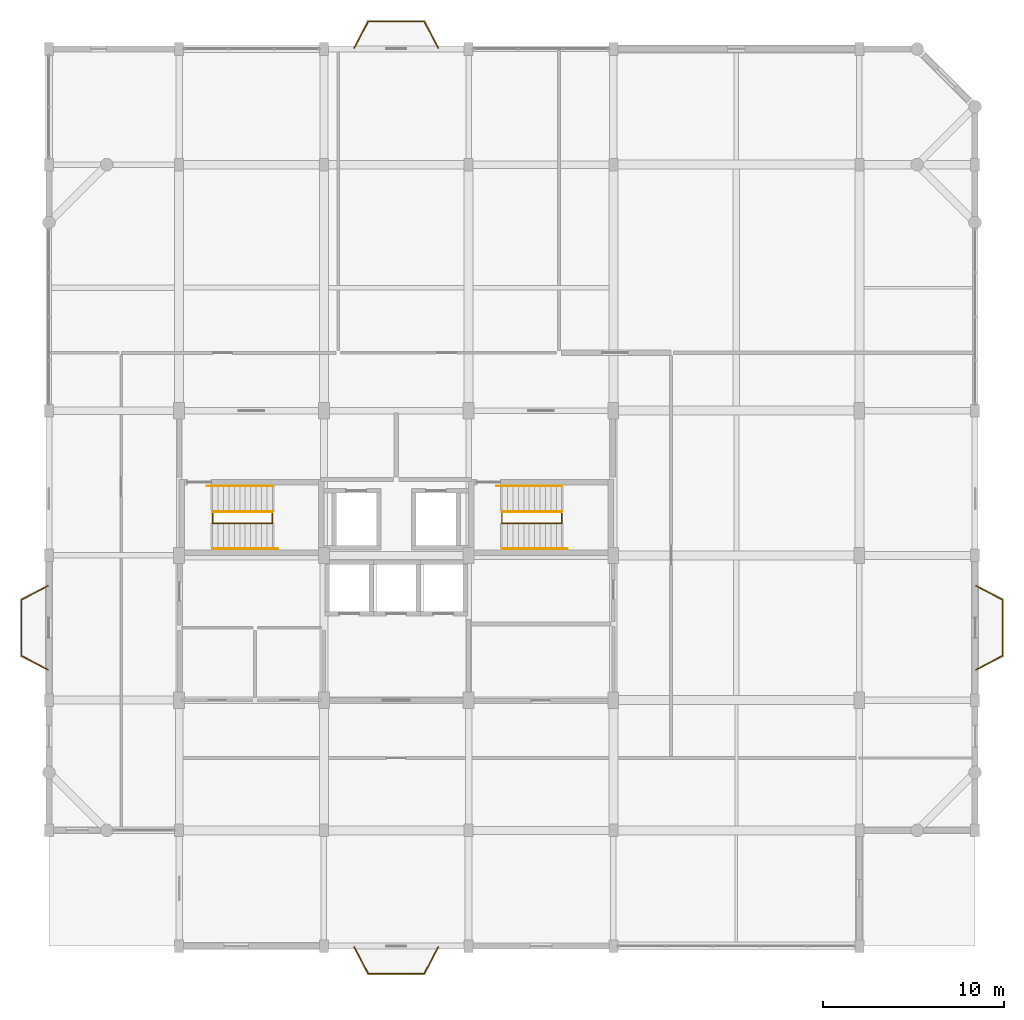
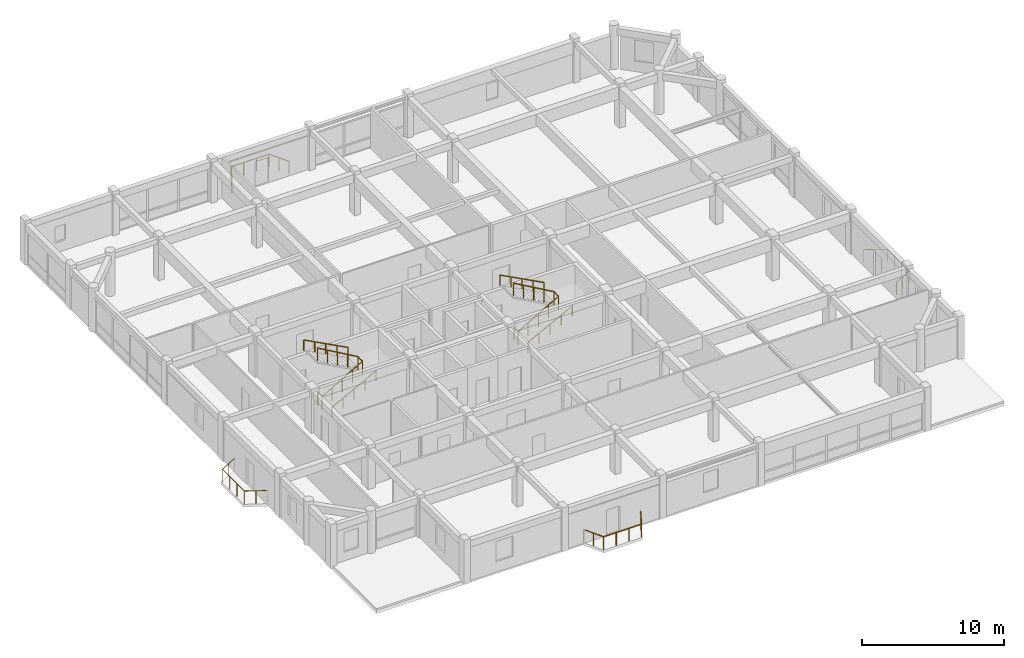
# One storey, part 14 of 14: 12 railings.
"""IFC4 building model written with IfcOpenShell, lengths in metres."""

from ifc_helpers import new_model, si_unit, direction, frame, origin, origin_2d, place, context, subcontext, project, spatial, circle, extrude, material, type_object, element, save


model = new_model("IFC4")

# Units and contexts
model_context = context("Model", 3, precision=1e-05, world=origin(), true_north=direction((0.0, 1.0)))
body_context = subcontext(model_context, "Body", "Model", "MODEL_VIEW")
ifc_project = project(units=[si_unit("LENGTHUNIT", "METRE"), si_unit("AREAUNIT", "SQUARE_METRE"), si_unit("VOLUMEUNIT", "CUBIC_METRE"), si_unit("PLANEANGLEUNIT", "RADIAN"), si_unit("MASSUNIT", "GRAM", prefix="KILO")], contexts=[model_context])

# Site, building, storey
site_placement = place(None, origin())
site = spatial("IfcSite", under=ifc_project, at=site_placement, CompositionType="ELEMENT")
building_placement = place(site_placement, origin())
building = spatial("IfcBuilding", under=site, at=building_placement, Name="Vellmiral Cinema and Media Centre", CompositionType="ELEMENT")
storey_placement = place(building_placement, frame((0.0, 0.0, 47.10009765625)))
storey = spatial("IfcBuildingStorey", under=building, at=storey_placement, Name="L11", CompositionType="ELEMENT", Elevation=47.10009765625)

# Railings
ifc_material_1 = material(Name="Forged Wrought-Iron Mirador Guardrail", Category="steel")
railing_type_1 = type_object("IfcRailingType", Name="RL-BAL-MIRA-1120", PredefinedType="BALUSTRADE", material=ifc_material_1)
railing_1_placement = place(storey_placement, frame((168.050048828125, 80.8798828125, 0.0)))
element("IfcRailing", 1, at=railing_1_placement, inside=storey, type_object=railing_type_1, Name="Mirador Balcony Guardrail L11-E", PredefinedType="BALUSTRADE", context=body_context, shape_type="SweptSolid", body=[
    extrude(circle(Radius=0.02392578125, at=origin_2d()), frame((0.0, 0.0, 1.09619140625), z_axis=(0.885822896277, 0.464023486939, 0.0), x_axis=(-0.464023486939, 0.885822896277, 0.0)), (0.0, 0.0, 1.0), 1.659423828125),
    extrude(circle(Radius=0.02392578125, at=origin_2d()), frame((1.469970703125, 0.77001953125, 1.09619140625), z_axis=(0.0, 1.0, 0.0), x_axis=(-1.0, 0.0, 0.0)), (0.0, 0.0, 1.0), 3.10009765625),
    extrude(circle(Radius=0.02392578125, at=origin_2d()), frame((1.469970703125, 3.8701171875, 1.09619140625), z_axis=(-0.885822896277, 0.464023486939, 0.0), x_axis=(-0.464023486939, -0.885822896277, 0.0)), (0.0, 0.0, 1.0), 1.659423828125),
    extrude(circle(Radius=0.02099609375, at=origin_2d()), origin(), (0.0, 0.0, 1.0), 1.072021484375),
    extrude(circle(Radius=0.02099609375, at=origin_2d()), frame((0.73486328125, 0.385009765625, 0.0)), (0.0, 0.0, 1.0), 1.072021484375),
    extrude(circle(Radius=0.02099609375, at=origin_2d()), frame((1.469970703125, 0.77001953125, 0.0)), (0.0, 0.0, 1.0), 1.072021484375),
    extrude(circle(Radius=0.02099609375, at=origin_2d()), frame((1.469970703125, 1.803466796875, 0.0)), (0.0, 0.0, 1.0), 1.072021484375),
    extrude(circle(Radius=0.02099609375, at=origin_2d()), frame((1.469970703125, 2.836669921875, 0.0)), (0.0, 0.0, 1.0), 1.072021484375),
    extrude(circle(Radius=0.02099609375, at=origin_2d()), frame((1.469970703125, 3.8701171875, 0.0)), (0.0, 0.0, 1.0), 1.072021484375),
    extrude(circle(Radius=0.02099609375, at=origin_2d()), frame((0.73486328125, 4.255126953125, 0.0)), (0.0, 0.0, 1.0), 1.072021484375),
    extrude(circle(Radius=0.02099609375, at=origin_2d()), frame((0.0, 4.64013671875, 0.0)), (0.0, 0.0, 1.0), 1.072021484375),
])
railing_2_placement = place(storey_placement, frame((138.320068359375, 115.25, 0.0)))
element("IfcRailing", 2, at=railing_2_placement, inside=storey, type_object=railing_type_1, Name="Mirador Balcony Guardrail L11-N", PredefinedType="BALUSTRADE", context=body_context, shape_type="SweptSolid", body=[
    extrude(circle(Radius=0.02392578125, at=origin_2d()), frame((0.0, 0.0, 1.09619140625), z_axis=(-0.464023486939, 0.885822896277, 0.0), x_axis=(-0.885822896277, -0.464023486939, 0.0)), (0.0, 0.0, 1.0), 1.659423828125),
    extrude(circle(Radius=0.02392578125, at=origin_2d()), frame((-0.77001953125, 1.469970703125, 1.09619140625), z_axis=(-1.0, 0.0, 0.0), x_axis=(0.0, -1.0, 0.0)), (0.0, 0.0, 1.0), 3.10009765625),
    extrude(circle(Radius=0.02392578125, at=origin_2d()), frame((-3.8701171875, 1.469970703125, 1.09619140625), z_axis=(-0.464023486939, -0.885822896277, 0.0), x_axis=(0.885822896277, -0.464023486939, 0.0)), (0.0, 0.0, 1.0), 1.659423828125),
    extrude(circle(Radius=0.02099609375, at=origin_2d()), origin(), (0.0, 0.0, 1.0), 1.072021484375),
    extrude(circle(Radius=0.02099609375, at=origin_2d()), frame((-0.385009765625, 0.73486328125, 0.0)), (0.0, 0.0, 1.0), 1.072021484375),
    extrude(circle(Radius=0.02099609375, at=origin_2d()), frame((-0.77001953125, 1.469970703125, 0.0)), (0.0, 0.0, 1.0), 1.072021484375),
    extrude(circle(Radius=0.02099609375, at=origin_2d()), frame((-1.803466796875, 1.469970703125, 0.0)), (0.0, 0.0, 1.0), 1.072021484375),
    extrude(circle(Radius=0.02099609375, at=origin_2d()), frame((-2.836669921875, 1.469970703125, 0.0)), (0.0, 0.0, 1.0), 1.072021484375),
    extrude(circle(Radius=0.02099609375, at=origin_2d()), frame((-3.8701171875, 1.469970703125, 0.0)), (0.0, 0.0, 1.0), 1.072021484375),
    extrude(circle(Radius=0.02099609375, at=origin_2d()), frame((-4.255126953125, 0.73486328125, 0.0)), (0.0, 0.0, 1.0), 1.072021484375),
    extrude(circle(Radius=0.02099609375, at=origin_2d()), frame((-4.64013671875, 0.0, 0.0)), (0.0, 0.0, 1.0), 1.072021484375),
])
railing_3_placement = place(storey_placement, frame((116.75, 85.52001953125, 0.0)))
element("IfcRailing", 3, at=railing_3_placement, inside=storey, type_object=railing_type_1, Name="Mirador Balcony Guardrail L11-W", PredefinedType="BALUSTRADE", context=body_context, shape_type="SweptSolid", body=[
    extrude(circle(Radius=0.02392578125, at=origin_2d()), frame((0.0, 0.0, 1.09619140625), z_axis=(-0.885822896277, -0.464023486939, 0.0), x_axis=(0.464023486939, -0.885822896277, 0.0)), (0.0, 0.0, 1.0), 1.659423828125),
    extrude(circle(Radius=0.02392578125, at=origin_2d()), frame((-1.469970703125, -0.77001953125, 1.09619140625), z_axis=(0.0, -1.0, 0.0), x_axis=(1.0, 0.0, 0.0)), (0.0, 0.0, 1.0), 3.10009765625),
    extrude(circle(Radius=0.02392578125, at=origin_2d()), frame((-1.469970703125, -3.8701171875, 1.09619140625), z_axis=(0.885822896277, -0.464023486939, 0.0), x_axis=(0.464023486939, 0.885822896277, 0.0)), (0.0, 0.0, 1.0), 1.659423828125),
    extrude(circle(Radius=0.02099609375, at=origin_2d()), origin(), (0.0, 0.0, 1.0), 1.072021484375),
    extrude(circle(Radius=0.02099609375, at=origin_2d()), frame((-0.73486328125, -0.385009765625, 0.0)), (0.0, 0.0, 1.0), 1.072021484375),
    extrude(circle(Radius=0.02099609375, at=origin_2d()), frame((-1.469970703125, -0.77001953125, 0.0)), (0.0, 0.0, 1.0), 1.072021484375),
    extrude(circle(Radius=0.02099609375, at=origin_2d()), frame((-1.469970703125, -1.803466796875, 0.0)), (0.0, 0.0, 1.0), 1.072021484375),
    extrude(circle(Radius=0.02099609375, at=origin_2d()), frame((-1.469970703125, -2.836669921875, 0.0)), (0.0, 0.0, 1.0), 1.072021484375),
    extrude(circle(Radius=0.02099609375, at=origin_2d()), frame((-1.469970703125, -3.8701171875, 0.0)), (0.0, 0.0, 1.0), 1.072021484375),
    extrude(circle(Radius=0.02099609375, at=origin_2d()), frame((-0.73486328125, -4.255126953125, 0.0)), (0.0, 0.0, 1.0), 1.072021484375),
    extrude(circle(Radius=0.02099609375, at=origin_2d()), frame((0.0, -4.64013671875, 0.0)), (0.0, 0.0, 1.0), 1.072021484375),
])
railing_4_placement = place(storey_placement, frame((133.679931640625, 65.550048828125, 0.0)))
element("IfcRailing", 4, at=railing_4_placement, inside=storey, type_object=railing_type_1, Name="Mirador Balcony Guardrail L11-S", PredefinedType="BALUSTRADE", context=body_context, shape_type="SweptSolid", body=[
    extrude(circle(Radius=0.02392578125, at=origin_2d()), frame((0.0, 0.0, 1.09619140625), z_axis=(0.464023486939, -0.885822896277, 0.0), x_axis=(0.885822896277, 0.464023486939, 0.0)), (0.0, 0.0, 1.0), 1.659423828125),
    extrude(circle(Radius=0.02392578125, at=origin_2d()), frame((0.77001953125, -1.469970703125, 1.09619140625), z_axis=(1.0, 0.0, 0.0), x_axis=(0.0, 1.0, 0.0)), (0.0, 0.0, 1.0), 3.10009765625),
    extrude(circle(Radius=0.02392578125, at=origin_2d()), frame((3.8701171875, -1.469970703125, 1.09619140625), z_axis=(0.464023486939, 0.885822896277, 0.0), x_axis=(-0.885822896277, 0.464023486939, 0.0)), (0.0, 0.0, 1.0), 1.659423828125),
    extrude(circle(Radius=0.02099609375, at=origin_2d()), origin(), (0.0, 0.0, 1.0), 1.072021484375),
    extrude(circle(Radius=0.02099609375, at=origin_2d()), frame((0.385009765625, -0.73486328125, 0.0)), (0.0, 0.0, 1.0), 1.072021484375),
    extrude(circle(Radius=0.02099609375, at=origin_2d()), frame((0.77001953125, -1.469970703125, 0.0)), (0.0, 0.0, 1.0), 1.072021484375),
    extrude(circle(Radius=0.02099609375, at=origin_2d()), frame((1.803466796875, -1.469970703125, 0.0)), (0.0, 0.0, 1.0), 1.072021484375),
    extrude(circle(Radius=0.02099609375, at=origin_2d()), frame((2.836669921875, -1.469970703125, 0.0)), (0.0, 0.0, 1.0), 1.072021484375),
    extrude(circle(Radius=0.02099609375, at=origin_2d()), frame((3.8701171875, -1.469970703125, 0.0)), (0.0, 0.0, 1.0), 1.072021484375),
    extrude(circle(Radius=0.02099609375, at=origin_2d()), frame((4.255126953125, -0.73486328125, 0.0)), (0.0, 0.0, 1.0), 1.072021484375),
    extrude(circle(Radius=0.02099609375, at=origin_2d()), frame((4.64013671875, 0.0, 0.0)), (0.0, 0.0, 1.0), 1.072021484375),
])
ifc_material_2 = material(Name="Brushed Stainless Steel Handrail", Category="steel")
railing_type_2 = type_object("IfcRailingType", Name="RL-HANDRAIL-900", PredefinedType="HANDRAIL", material=ifc_material_2)
railing_5_placement = place(storey_placement, frame((125.85009765625, 87.56005859375, 0.158203125)))
element("IfcRailing", 5, at=railing_5_placement, inside=storey, type_object=railing_type_2, Name="Stair Wall Handrail ST-T1 L11-1", PredefinedType="HANDRAIL", context=body_context, shape_type="SweptSolid", body=[
    extrude(circle(Radius=0.02392578125, at=origin_2d()), frame((0.0, 0.0, 0.8759765625), z_axis=(0.884362056793, 0.0, 0.466801620076), x_axis=(0.0, 1.0, 0.0)), (0.0, 0.0, 1.0), 4.070556640625),
    extrude(circle(Radius=0.02099609375, at=origin_2d()), origin(), (0.0, 0.0, 1.0), 0.851806640625),
    extrude(circle(Radius=0.02099609375, at=origin_2d()), frame((0.89990234375, 0.0, 0.47509765625)), (0.0, 0.0, 1.0), 0.851806640625),
    extrude(circle(Radius=0.02099609375, at=origin_2d()), frame((1.7998046875, 0.0, 0.9501953125)), (0.0, 0.0, 1.0), 0.851806640625),
    extrude(circle(Radius=0.02099609375, at=origin_2d()), frame((2.699951171875, 0.0, 1.425048828125)), (0.0, 0.0, 1.0), 0.851806640625),
    extrude(circle(Radius=0.02099609375, at=origin_2d()), frame((3.599853515625, 0.0, 1.900146484375)), (0.0, 0.0, 1.0), 0.851806640625),
])
railing_6_placement = place(storey_placement, frame((129.14990234375, 91.0400390625, 2.058349609375)))
element("IfcRailing", 6, at=railing_6_placement, inside=storey, type_object=railing_type_2, Name="Stair Wall Handrail ST-T1 L11-2", PredefinedType="HANDRAIL", context=body_context, shape_type="SweptSolid", body=[
    extrude(circle(Radius=0.02392578125, at=origin_2d()), frame((0.0, 0.0, 0.8759765625), z_axis=(-0.884386816079, 0.0, 0.466754710256), x_axis=(0.0, -1.0, 0.0)), (0.0, 0.0, 1.0), 4.070556640625),
    extrude(circle(Radius=0.02099609375, at=origin_2d()), origin(), (0.0, 0.0, 1.0), 0.851806640625),
    extrude(circle(Radius=0.02099609375, at=origin_2d()), frame((-0.89990234375, 0.0, 0.47509765625)), (0.0, 0.0, 1.0), 0.851806640625),
    extrude(circle(Radius=0.02099609375, at=origin_2d()), frame((-1.7998046875, 0.0, 0.949951171875)), (0.0, 0.0, 1.0), 0.851806640625),
    extrude(circle(Radius=0.02099609375, at=origin_2d()), frame((-2.699951171875, 0.0, 1.4248046875)), (0.0, 0.0, 1.0), 0.851806640625),
    extrude(circle(Radius=0.02099609375, at=origin_2d()), frame((-3.599853515625, 0.0, 1.89990234375)), (0.0, 0.0, 1.0), 0.851806640625),
])
railing_7_placement = place(storey_placement, frame((141.85009765625, 87.56005859375, 0.158203125)))
element("IfcRailing", 7, at=railing_7_placement, inside=storey, type_object=railing_type_2, Name="Stair Wall Handrail ST-T2 L11-1", PredefinedType="HANDRAIL", context=body_context, shape_type="SweptSolid", body=[
    extrude(circle(Radius=0.02392578125, at=origin_2d()), frame((0.0, 0.0, 0.8759765625), z_axis=(0.884362056793, 0.0, 0.466801620076), x_axis=(0.0, 1.0, 0.0)), (0.0, 0.0, 1.0), 4.070556640625),
    extrude(circle(Radius=0.02099609375, at=origin_2d()), origin(), (0.0, 0.0, 1.0), 0.851806640625),
    extrude(circle(Radius=0.02099609375, at=origin_2d()), frame((0.89990234375, 0.0, 0.47509765625)), (0.0, 0.0, 1.0), 0.851806640625),
    extrude(circle(Radius=0.02099609375, at=origin_2d()), frame((1.7998046875, 0.0, 0.9501953125)), (0.0, 0.0, 1.0), 0.851806640625),
    extrude(circle(Radius=0.02099609375, at=origin_2d()), frame((2.699951171875, 0.0, 1.425048828125)), (0.0, 0.0, 1.0), 0.851806640625),
    extrude(circle(Radius=0.02099609375, at=origin_2d()), frame((3.599853515625, 0.0, 1.900146484375)), (0.0, 0.0, 1.0), 0.851806640625),
])
railing_8_placement = place(storey_placement, frame((145.14990234375, 91.0400390625, 2.058349609375)))
element("IfcRailing", 8, at=railing_8_placement, inside=storey, type_object=railing_type_2, Name="Stair Wall Handrail ST-T2 L11-2", PredefinedType="HANDRAIL", context=body_context, shape_type="SweptSolid", body=[
    extrude(circle(Radius=0.02392578125, at=origin_2d()), frame((0.0, 0.0, 0.8759765625), z_axis=(-0.884386816079, 0.0, 0.466754710256), x_axis=(0.0, -1.0, 0.0)), (0.0, 0.0, 1.0), 4.070556640625),
    extrude(circle(Radius=0.02099609375, at=origin_2d()), origin(), (0.0, 0.0, 1.0), 0.851806640625),
    extrude(circle(Radius=0.02099609375, at=origin_2d()), frame((-0.89990234375, 0.0, 0.47509765625)), (0.0, 0.0, 1.0), 0.851806640625),
    extrude(circle(Radius=0.02099609375, at=origin_2d()), frame((-1.7998046875, 0.0, 0.949951171875)), (0.0, 0.0, 1.0), 0.851806640625),
    extrude(circle(Radius=0.02099609375, at=origin_2d()), frame((-2.699951171875, 0.0, 1.4248046875)), (0.0, 0.0, 1.0), 0.851806640625),
    extrude(circle(Radius=0.02099609375, at=origin_2d()), frame((-3.599853515625, 0.0, 1.89990234375)), (0.0, 0.0, 1.0), 0.851806640625),
])
ifc_material_3 = material(Name="Painted Steel Stair Guardrail", Category="steel")
railing_type_3 = type_object("IfcRailingType", Name="RL-STAIR-GUARD-1120", PredefinedType="GUARDRAIL", material=ifc_material_3)
railing_9_placement = place(storey_placement, frame((125.85009765625, 89.580078125, 0.0)))
element("IfcRailing", 9, at=railing_9_placement, inside=storey, type_object=railing_type_3, Name="Stair Well Guard ST-T1 L11-A", PredefinedType="GUARDRAIL", context=body_context, shape_type="SweptSolid", body=[
    extrude(circle(Radius=0.02392578125, at=origin_2d()), frame((0.0, 0.0, 1.09619140625), z_axis=(0.0, -1.0, 0.0), x_axis=(1.0, 0.0, 0.0)), (0.0, 0.0, 1.0), 0.60009765625),
    extrude(circle(Radius=0.02392578125, at=origin_2d()), frame((0.0, -0.60009765625, 1.09619140625), z_axis=(0.866620776532, 0.0, 0.498967363345), x_axis=(0.0, 1.0, 0.0)), (0.0, 0.0, 1.0), 3.8076171875),
    extrude(circle(Radius=0.02392578125, at=origin_2d()), frame((3.2998046875, -0.60009765625, 2.99609375), z_axis=(0.0, 1.0, 0.0), x_axis=(-1.0, 0.0, 0.0)), (0.0, 0.0, 1.0), 0.64013671875),
    extrude(circle(Radius=0.02099609375, at=origin_2d()), origin(), (0.0, 0.0, 1.0), 1.072021484375),
    extrude(circle(Radius=0.02099609375, at=origin_2d()), frame((0.0, -0.60009765625, 0.0)), (0.0, 0.0, 1.0), 1.072021484375),
    extrude(circle(Radius=0.02099609375, at=origin_2d()), frame((0.824951171875, -0.60009765625, 0.47509765625)), (0.0, 0.0, 1.0), 1.072021484375),
    extrude(circle(Radius=0.02099609375, at=origin_2d()), frame((1.64990234375, -0.60009765625, 0.949951171875)), (0.0, 0.0, 1.0), 1.072021484375),
    extrude(circle(Radius=0.02099609375, at=origin_2d()), frame((2.474853515625, -0.60009765625, 1.4248046875)), (0.0, 0.0, 1.0), 1.072021484375),
    extrude(circle(Radius=0.02099609375, at=origin_2d()), frame((3.2998046875, -0.60009765625, 1.89990234375)), (0.0, 0.0, 1.0), 1.072021484375),
    extrude(circle(Radius=0.02099609375, at=origin_2d()), frame((3.2998046875, 0.0400390625, 1.89990234375)), (0.0, 0.0, 1.0), 1.072021484375),
])
railing_10_placement = place(storey_placement, frame((129.14990234375, 89.6201171875, 1.89990234375)))
element("IfcRailing", 10, at=railing_10_placement, inside=storey, type_object=railing_type_3, Name="Stair Well Guard ST-T1 L11-B", PredefinedType="GUARDRAIL", context=body_context, shape_type="SweptSolid", body=[
    extrude(circle(Radius=0.02392578125, at=origin_2d()), frame((0.0, 0.0, 1.09619140625), z_axis=(-0.866620776532, 0.0, 0.498967363345), x_axis=(0.0, -1.0, 0.0)), (0.0, 0.0, 1.0), 3.8076171875),
    extrude(circle(Radius=0.02099609375, at=origin_2d()), origin(), (0.0, 0.0, 1.0), 1.072021484375),
    extrude(circle(Radius=0.02099609375, at=origin_2d()), frame((-0.824951171875, 0.0, 0.47509765625)), (0.0, 0.0, 1.0), 1.072021484375),
    extrude(circle(Radius=0.02099609375, at=origin_2d()), frame((-1.64990234375, 0.0, 0.949951171875)), (0.0, 0.0, 1.0), 1.072021484375),
    extrude(circle(Radius=0.02099609375, at=origin_2d()), frame((-2.474853515625, 0.0, 1.4248046875)), (0.0, 0.0, 1.0), 1.072021484375),
    extrude(circle(Radius=0.02099609375, at=origin_2d()), frame((-3.2998046875, 0.0, 1.89990234375)), (0.0, 0.0, 1.0), 1.072021484375),
])
railing_11_placement = place(storey_placement, frame((141.85009765625, 89.580078125, 0.0)))
element("IfcRailing", 11, at=railing_11_placement, inside=storey, type_object=railing_type_3, Name="Stair Well Guard ST-T2 L11-A", PredefinedType="GUARDRAIL", context=body_context, shape_type="SweptSolid", body=[
    extrude(circle(Radius=0.02392578125, at=origin_2d()), frame((0.0, 0.0, 1.09619140625), z_axis=(0.0, -1.0, 0.0), x_axis=(1.0, 0.0, 0.0)), (0.0, 0.0, 1.0), 0.60009765625),
    extrude(circle(Radius=0.02392578125, at=origin_2d()), frame((0.0, -0.60009765625, 1.09619140625), z_axis=(0.866620776532, 0.0, 0.498967363345), x_axis=(0.0, 1.0, 0.0)), (0.0, 0.0, 1.0), 3.8076171875),
    extrude(circle(Radius=0.02392578125, at=origin_2d()), frame((3.2998046875, -0.60009765625, 2.99609375), z_axis=(0.0, 1.0, 0.0), x_axis=(-1.0, 0.0, 0.0)), (0.0, 0.0, 1.0), 0.64013671875),
    extrude(circle(Radius=0.02099609375, at=origin_2d()), origin(), (0.0, 0.0, 1.0), 1.072021484375),
    extrude(circle(Radius=0.02099609375, at=origin_2d()), frame((0.0, -0.60009765625, 0.0)), (0.0, 0.0, 1.0), 1.072021484375),
    extrude(circle(Radius=0.02099609375, at=origin_2d()), frame((0.824951171875, -0.60009765625, 0.47509765625)), (0.0, 0.0, 1.0), 1.072021484375),
    extrude(circle(Radius=0.02099609375, at=origin_2d()), frame((1.64990234375, -0.60009765625, 0.949951171875)), (0.0, 0.0, 1.0), 1.072021484375),
    extrude(circle(Radius=0.02099609375, at=origin_2d()), frame((2.474853515625, -0.60009765625, 1.4248046875)), (0.0, 0.0, 1.0), 1.072021484375),
    extrude(circle(Radius=0.02099609375, at=origin_2d()), frame((3.2998046875, -0.60009765625, 1.89990234375)), (0.0, 0.0, 1.0), 1.072021484375),
    extrude(circle(Radius=0.02099609375, at=origin_2d()), frame((3.2998046875, 0.0400390625, 1.89990234375)), (0.0, 0.0, 1.0), 1.072021484375),
])
railing_12_placement = place(storey_placement, frame((145.14990234375, 89.6201171875, 1.89990234375)))
element("IfcRailing", 12, at=railing_12_placement, inside=storey, type_object=railing_type_3, Name="Stair Well Guard ST-T2 L11-B", PredefinedType="GUARDRAIL", context=body_context, shape_type="SweptSolid", body=[
    extrude(circle(Radius=0.02392578125, at=origin_2d()), frame((0.0, 0.0, 1.09619140625), z_axis=(-0.866620776532, 0.0, 0.498967363345), x_axis=(0.0, -1.0, 0.0)), (0.0, 0.0, 1.0), 3.8076171875),
    extrude(circle(Radius=0.02099609375, at=origin_2d()), origin(), (0.0, 0.0, 1.0), 1.072021484375),
    extrude(circle(Radius=0.02099609375, at=origin_2d()), frame((-0.824951171875, 0.0, 0.47509765625)), (0.0, 0.0, 1.0), 1.072021484375),
    extrude(circle(Radius=0.02099609375, at=origin_2d()), frame((-1.64990234375, 0.0, 0.949951171875)), (0.0, 0.0, 1.0), 1.072021484375),
    extrude(circle(Radius=0.02099609375, at=origin_2d()), frame((-2.474853515625, 0.0, 1.4248046875)), (0.0, 0.0, 1.0), 1.072021484375),
    extrude(circle(Radius=0.02099609375, at=origin_2d()), frame((-3.2998046875, 0.0, 1.89990234375)), (0.0, 0.0, 1.0), 1.072021484375),
])

save(model, "model.ifc")
